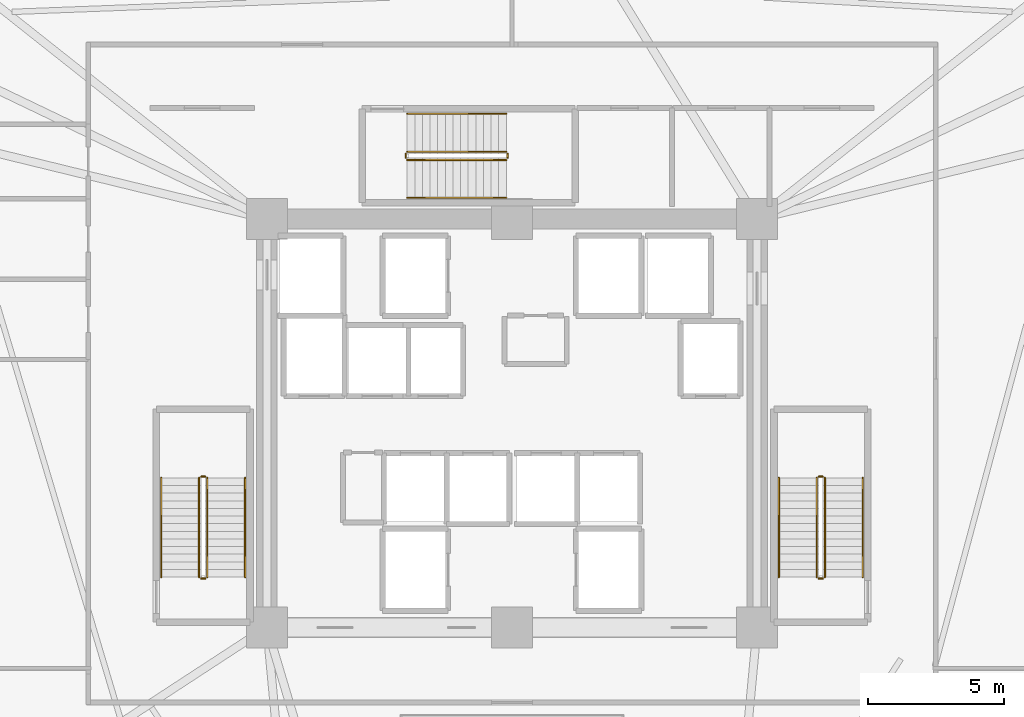
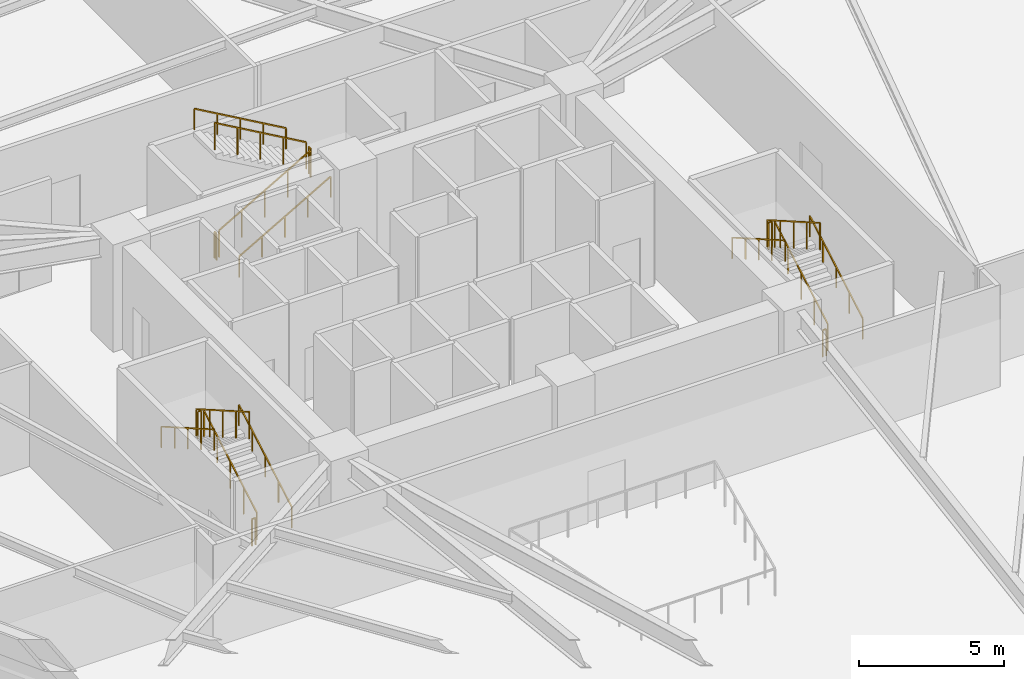
# One storey, part 30 of 30: 18 railings.
"""IFC4 building model written with IfcOpenShell, lengths in metres."""

from ifc_helpers import new_model, si_unit, direction, frame, origin, origin_2d, place, context, subcontext, project, spatial, rectangle, extrude, material, type_object, element, save


model = new_model("IFC4")

# Units and contexts
model_context = context("Model", 3, precision=1e-05, world=origin(), true_north=direction((0.0, 1.0)))
body_context = subcontext(model_context, "Body", "Model", "MODEL_VIEW")
ifc_project = project(units=[si_unit("LENGTHUNIT", "METRE"), si_unit("AREAUNIT", "SQUARE_METRE"), si_unit("VOLUMEUNIT", "CUBIC_METRE"), si_unit("PLANEANGLEUNIT", "RADIAN"), si_unit("MASSUNIT", "GRAM", prefix="KILO")], contexts=[model_context])

# Site, building, storey
site_placement = place(None, origin())
site = spatial("IfcSite", under=ifc_project, at=site_placement, CompositionType="ELEMENT")
building_placement = place(site_placement, origin())
building = spatial("IfcBuilding", under=site, at=building_placement, Name="Liaohun Quay Tower", CompositionType="ELEMENT")
storey_placement = place(building_placement, frame((0.0, 0.0, 97.5)))
storey = spatial("IfcBuildingStorey", under=building, at=storey_placement, Name="L25", CompositionType="ELEMENT", Elevation=97.5)

# Railings
ifc_material_1 = material(Name="Painted tubular steel", Category="steel")
railing_type_1 = type_object("IfcRailingType", Name="RLG-GUARD-STR", PredefinedType="GUARDRAIL", material=ifc_material_1)
railing_1_placement = place(storey_placement, frame((48.81005859375, 48.35009765625, 0.16064453125)))
element("IfcRailing", 1, at=railing_1_placement, inside=storey, type_object=railing_type_1, Name="L25 ST-1 stair guard 1", PredefinedType="GUARDRAIL", context=body_context, shape_type="SweptSolid", body=[
    extrude(rectangle(XDim=0.048095703125, YDim=0.048095703125, at=origin_2d()), frame((0.0, 0.0, 1.1259765625), z_axis=(0.0, 0.8672749571, 0.497829437445), x_axis=(-1.0, 0.0, 0.0)), (0.0, 0.0, 1.0), 4.197021484375),
    extrude(rectangle(XDim=0.0419921875, YDim=0.0419921875, at=origin_2d()), origin(), (0.0, 0.0, 1.0), 1.101806640625),
    extrude(rectangle(XDim=0.0419921875, YDim=0.0419921875, at=origin_2d()), frame((0.0, 0.909912109375, 0.5224609375)), (0.0, 0.0, 1.0), 1.101806640625),
    extrude(rectangle(XDim=0.0419921875, YDim=0.0419921875, at=origin_2d()), frame((0.0, 1.81982421875, 1.044677734375)), (0.0, 0.0, 1.0), 1.101806640625),
    extrude(rectangle(XDim=0.0419921875, YDim=0.0419921875, at=origin_2d()), frame((0.0, 2.72998046875, 1.56689453125)), (0.0, 0.0, 1.0), 1.101806640625),
    extrude(rectangle(XDim=0.0419921875, YDim=0.0419921875, at=origin_2d()), frame((0.0, 3.639892578125, 2.08935546875)), (0.0, 0.0, 1.0), 1.101806640625),
])
railing_2_placement = place(storey_placement, frame((48.72998046875, 52.0400390625, 2.25)))
element("IfcRailing", 2, at=railing_2_placement, inside=storey, type_object=railing_type_1, Name="L25 ST-1 stair guard 2", PredefinedType="GUARDRAIL", context=body_context, shape_type="SweptSolid", body=[
    extrude(rectangle(XDim=0.048095703125, YDim=0.048095703125, at=origin_2d()), frame((0.0, 0.0, 1.1259765625), z_axis=(-1.0, 0.0, 0.0), x_axis=(0.0, -1.0, 0.0)), (0.0, 0.0, 1.0), 0.139892578125),
    extrude(rectangle(XDim=0.0419921875, YDim=0.0419921875, at=origin_2d()), origin(), (0.0, 0.0, 1.0), 1.101806640625),
    extrude(rectangle(XDim=0.0419921875, YDim=0.0419921875, at=origin_2d()), frame((-0.139892578125, 0.0, 0.0)), (0.0, 0.0, 1.0), 1.101806640625),
])
railing_3_placement = place(storey_placement, frame((48.510009765625, 51.989990234375, 2.41064453125)))
element("IfcRailing", 3, at=railing_3_placement, inside=storey, type_object=railing_type_1, Name="L25 ST-1 stair guard 3", PredefinedType="GUARDRAIL", context=body_context, shape_type="SweptSolid", body=[
    extrude(rectangle(XDim=0.048095703125, YDim=0.048095703125, at=origin_2d()), frame((0.0, 0.0, 1.1259765625), z_axis=(0.0, -0.8672749571, 0.497829437445), x_axis=(1.0, 0.0, 0.0)), (0.0, 0.0, 1.0), 4.197021484375),
    extrude(rectangle(XDim=0.0419921875, YDim=0.0419921875, at=origin_2d()), origin(), (0.0, 0.0, 1.0), 1.101806640625),
    extrude(rectangle(XDim=0.0419921875, YDim=0.0419921875, at=origin_2d()), frame((0.0, -0.909912109375, 0.5224609375)), (0.0, 0.0, 1.0), 1.101806640625),
    extrude(rectangle(XDim=0.0419921875, YDim=0.0419921875, at=origin_2d()), frame((0.0, -1.81982421875, 1.044677734375)), (0.0, 0.0, 1.0), 1.101806640625),
    extrude(rectangle(XDim=0.0419921875, YDim=0.0419921875, at=origin_2d()), frame((0.0, -2.72998046875, 1.56689453125)), (0.0, 0.0, 1.0), 1.101806640625),
    extrude(rectangle(XDim=0.0419921875, YDim=0.0419921875, at=origin_2d()), frame((0.0, -3.639892578125, 2.08935546875)), (0.0, 0.0, 1.0), 1.101806640625),
])
railing_4_placement = place(storey_placement, frame((48.72998046875, 48.300048828125, 0.0)))
element("IfcRailing", 4, at=railing_4_placement, inside=storey, type_object=railing_type_1, Name="L25 ST-1 stair guard 4", PredefinedType="GUARDRAIL", context=body_context, shape_type="SweptSolid", body=[
    extrude(rectangle(XDim=0.048095703125, YDim=0.048095703125, at=origin_2d()), frame((0.0, 0.0, 1.1259765625), z_axis=(-1.0, 0.0, 0.0), x_axis=(0.0, -1.0, 0.0)), (0.0, 0.0, 1.0), 0.139892578125),
    extrude(rectangle(XDim=0.0419921875, YDim=0.0419921875, at=origin_2d()), origin(), (0.0, 0.0, 1.0), 1.101806640625),
    extrude(rectangle(XDim=0.0419921875, YDim=0.0419921875, at=origin_2d()), frame((-0.139892578125, 0.0, 0.0)), (0.0, 0.0, 1.0), 1.101806640625),
])
railing_5_placement = place(storey_placement, frame((71.489990234375, 48.35009765625, 0.16064453125)))
element("IfcRailing", 5, at=railing_5_placement, inside=storey, type_object=railing_type_1, Name="L25 ST-2 stair guard 1", PredefinedType="GUARDRAIL", context=body_context, shape_type="SweptSolid", body=[
    extrude(rectangle(XDim=0.048095703125, YDim=0.048095703125, at=origin_2d()), frame((0.0, 0.0, 1.1259765625), z_axis=(0.0, 0.8672749571, 0.497829437445), x_axis=(-1.0, 0.0, 0.0)), (0.0, 0.0, 1.0), 4.197021484375),
    extrude(rectangle(XDim=0.0419921875, YDim=0.0419921875, at=origin_2d()), origin(), (0.0, 0.0, 1.0), 1.101806640625),
    extrude(rectangle(XDim=0.0419921875, YDim=0.0419921875, at=origin_2d()), frame((0.0, 0.909912109375, 0.5224609375)), (0.0, 0.0, 1.0), 1.101806640625),
    extrude(rectangle(XDim=0.0419921875, YDim=0.0419921875, at=origin_2d()), frame((0.0, 1.81982421875, 1.044677734375)), (0.0, 0.0, 1.0), 1.101806640625),
    extrude(rectangle(XDim=0.0419921875, YDim=0.0419921875, at=origin_2d()), frame((0.0, 2.72998046875, 1.56689453125)), (0.0, 0.0, 1.0), 1.101806640625),
    extrude(rectangle(XDim=0.0419921875, YDim=0.0419921875, at=origin_2d()), frame((0.0, 3.639892578125, 2.08935546875)), (0.0, 0.0, 1.0), 1.101806640625),
])
railing_6_placement = place(storey_placement, frame((71.409912109375, 52.0400390625, 2.25)))
element("IfcRailing", 6, at=railing_6_placement, inside=storey, type_object=railing_type_1, Name="L25 ST-2 stair guard 2", PredefinedType="GUARDRAIL", context=body_context, shape_type="SweptSolid", body=[
    extrude(rectangle(XDim=0.048095703125, YDim=0.048095703125, at=origin_2d()), frame((0.0, 0.0, 1.1259765625), z_axis=(-1.0, 0.0, 0.0), x_axis=(0.0, -1.0, 0.0)), (0.0, 0.0, 1.0), 0.139892578125),
    extrude(rectangle(XDim=0.0419921875, YDim=0.0419921875, at=origin_2d()), origin(), (0.0, 0.0, 1.0), 1.101806640625),
    extrude(rectangle(XDim=0.0419921875, YDim=0.0419921875, at=origin_2d()), frame((-0.139892578125, 0.0, 0.0)), (0.0, 0.0, 1.0), 1.101806640625),
])
railing_7_placement = place(storey_placement, frame((71.18994140625, 51.989990234375, 2.41064453125)))
element("IfcRailing", 7, at=railing_7_placement, inside=storey, type_object=railing_type_1, Name="L25 ST-2 stair guard 3", PredefinedType="GUARDRAIL", context=body_context, shape_type="SweptSolid", body=[
    extrude(rectangle(XDim=0.048095703125, YDim=0.048095703125, at=origin_2d()), frame((0.0, 0.0, 1.1259765625), z_axis=(0.0, -0.8672749571, 0.497829437445), x_axis=(1.0, 0.0, 0.0)), (0.0, 0.0, 1.0), 4.197021484375),
    extrude(rectangle(XDim=0.0419921875, YDim=0.0419921875, at=origin_2d()), origin(), (0.0, 0.0, 1.0), 1.101806640625),
    extrude(rectangle(XDim=0.0419921875, YDim=0.0419921875, at=origin_2d()), frame((0.0, -0.909912109375, 0.5224609375)), (0.0, 0.0, 1.0), 1.101806640625),
    extrude(rectangle(XDim=0.0419921875, YDim=0.0419921875, at=origin_2d()), frame((0.0, -1.81982421875, 1.044677734375)), (0.0, 0.0, 1.0), 1.101806640625),
    extrude(rectangle(XDim=0.0419921875, YDim=0.0419921875, at=origin_2d()), frame((0.0, -2.72998046875, 1.56689453125)), (0.0, 0.0, 1.0), 1.101806640625),
    extrude(rectangle(XDim=0.0419921875, YDim=0.0419921875, at=origin_2d()), frame((0.0, -3.639892578125, 2.08935546875)), (0.0, 0.0, 1.0), 1.101806640625),
])
railing_8_placement = place(storey_placement, frame((71.409912109375, 48.300048828125, 0.0)))
element("IfcRailing", 8, at=railing_8_placement, inside=storey, type_object=railing_type_1, Name="L25 ST-2 stair guard 4", PredefinedType="GUARDRAIL", context=body_context, shape_type="SweptSolid", body=[
    extrude(rectangle(XDim=0.048095703125, YDim=0.048095703125, at=origin_2d()), frame((0.0, 0.0, 1.1259765625), z_axis=(-1.0, 0.0, 0.0), x_axis=(0.0, -1.0, 0.0)), (0.0, 0.0, 1.0), 0.139892578125),
    extrude(rectangle(XDim=0.0419921875, YDim=0.0419921875, at=origin_2d()), origin(), (0.0, 0.0, 1.0), 1.101806640625),
    extrude(rectangle(XDim=0.0419921875, YDim=0.0419921875, at=origin_2d()), frame((-0.139892578125, 0.0, 0.0)), (0.0, 0.0, 1.0), 1.101806640625),
])
railing_9_placement = place(storey_placement, frame((56.14990234375, 63.669921875, 0.16064453125)))
element("IfcRailing", 9, at=railing_9_placement, inside=storey, type_object=railing_type_1, Name="L25 ST-3 stair guard 1", PredefinedType="GUARDRAIL", context=body_context, shape_type="SweptSolid", body=[
    extrude(rectangle(XDim=0.048095703125, YDim=0.048095703125, at=origin_2d()), frame((0.0, 0.0, 1.1259765625), z_axis=(0.867289372828, 0.0, 0.497804322781), x_axis=(0.0, 1.0, 0.0)), (0.0, 0.0, 1.0), 4.197021484375),
    extrude(rectangle(XDim=0.0419921875, YDim=0.0419921875, at=origin_2d()), origin(), (0.0, 0.0, 1.0), 1.101806640625),
    extrude(rectangle(XDim=0.0419921875, YDim=0.0419921875, at=origin_2d()), frame((0.91015625, 0.0, 0.5224609375)), (0.0, 0.0, 1.0), 1.101806640625),
    extrude(rectangle(XDim=0.0419921875, YDim=0.0419921875, at=origin_2d()), frame((1.820068359375, 0.0, 1.044677734375)), (0.0, 0.0, 1.0), 1.101806640625),
    extrude(rectangle(XDim=0.0419921875, YDim=0.0419921875, at=origin_2d()), frame((2.72998046875, 0.0, 1.56689453125)), (0.0, 0.0, 1.0), 1.101806640625),
    extrude(rectangle(XDim=0.0419921875, YDim=0.0419921875, at=origin_2d()), frame((3.64013671875, 0.0, 2.08935546875)), (0.0, 0.0, 1.0), 1.101806640625),
])
railing_10_placement = place(storey_placement, frame((59.840087890625, 63.75, 2.25)))
element("IfcRailing", 10, at=railing_10_placement, inside=storey, type_object=railing_type_1, Name="L25 ST-3 stair guard 2", PredefinedType="GUARDRAIL", context=body_context, shape_type="SweptSolid", body=[
    extrude(rectangle(XDim=0.048095703125, YDim=0.048095703125, at=origin_2d()), frame((0.0, 0.0, 1.1259765625), z_axis=(0.0, 1.0, 0.0), x_axis=(-1.0, 0.0, 0.0)), (0.0, 0.0, 1.0), 0.139892578125),
    extrude(rectangle(XDim=0.0419921875, YDim=0.0419921875, at=origin_2d()), origin(), (0.0, 0.0, 1.0), 1.101806640625),
    extrude(rectangle(XDim=0.0419921875, YDim=0.0419921875, at=origin_2d()), frame((0.0, 0.139892578125, 0.0)), (0.0, 0.0, 1.0), 1.101806640625),
])
railing_11_placement = place(storey_placement, frame((59.7900390625, 63.969970703125, 2.41064453125)))
element("IfcRailing", 11, at=railing_11_placement, inside=storey, type_object=railing_type_1, Name="L25 ST-3 stair guard 3", PredefinedType="GUARDRAIL", context=body_context, shape_type="SweptSolid", body=[
    extrude(rectangle(XDim=0.048095703125, YDim=0.048095703125, at=origin_2d()), frame((0.0, 0.0, 1.1259765625), z_axis=(-0.867289372828, 0.0, 0.497804322781), x_axis=(0.0, -1.0, 0.0)), (0.0, 0.0, 1.0), 4.197021484375),
    extrude(rectangle(XDim=0.0419921875, YDim=0.0419921875, at=origin_2d()), origin(), (0.0, 0.0, 1.0), 1.101806640625),
    extrude(rectangle(XDim=0.0419921875, YDim=0.0419921875, at=origin_2d()), frame((-0.91015625, 0.0, 0.5224609375)), (0.0, 0.0, 1.0), 1.101806640625),
    extrude(rectangle(XDim=0.0419921875, YDim=0.0419921875, at=origin_2d()), frame((-1.820068359375, 0.0, 1.044677734375)), (0.0, 0.0, 1.0), 1.101806640625),
    extrude(rectangle(XDim=0.0419921875, YDim=0.0419921875, at=origin_2d()), frame((-2.72998046875, 0.0, 1.56689453125)), (0.0, 0.0, 1.0), 1.101806640625),
    extrude(rectangle(XDim=0.0419921875, YDim=0.0419921875, at=origin_2d()), frame((-3.64013671875, 0.0, 2.08935546875)), (0.0, 0.0, 1.0), 1.101806640625),
])
railing_12_placement = place(storey_placement, frame((56.10009765625, 63.75, 0.0)))
element("IfcRailing", 12, at=railing_12_placement, inside=storey, type_object=railing_type_1, Name="L25 ST-3 stair guard 4", PredefinedType="GUARDRAIL", context=body_context, shape_type="SweptSolid", body=[
    extrude(rectangle(XDim=0.048095703125, YDim=0.048095703125, at=origin_2d()), frame((0.0, 0.0, 1.1259765625), z_axis=(0.0, 1.0, 0.0), x_axis=(-1.0, 0.0, 0.0)), (0.0, 0.0, 1.0), 0.139892578125),
    extrude(rectangle(XDim=0.0419921875, YDim=0.0419921875, at=origin_2d()), origin(), (0.0, 0.0, 1.0), 1.101806640625),
    extrude(rectangle(XDim=0.0419921875, YDim=0.0419921875, at=origin_2d()), frame((0.0, 0.139892578125, 0.0)), (0.0, 0.0, 1.0), 1.101806640625),
])
ifc_material_2 = material(Name="Brushed stainless steel", Category="steel")
railing_type_2 = type_object("IfcRailingType", Name="RLG-HND-STR", PredefinedType="HANDRAIL", material=ifc_material_2)
railing_13_placement = place(storey_placement, frame((50.199951171875, 48.35009765625, 0.16064453125)))
element("IfcRailing", 13, at=railing_13_placement, inside=storey, type_object=railing_type_2, Name="L25 ST-1 stair handrail 1", PredefinedType="HANDRAIL", context=body_context, shape_type="SweptSolid", body=[
    extrude(rectangle(XDim=0.048095703125, YDim=0.048095703125, at=origin_2d()), frame((0.0, 0.0, 0.8759765625), z_axis=(0.0, 0.8672749571, 0.497829437445), x_axis=(-1.0, 0.0, 0.0)), (0.0, 0.0, 1.0), 4.197021484375),
    extrude(rectangle(XDim=0.0419921875, YDim=0.0419921875, at=origin_2d()), origin(), (0.0, 0.0, 1.0), 0.851806640625),
    extrude(rectangle(XDim=0.0419921875, YDim=0.0419921875, at=origin_2d()), frame((0.0, 0.909912109375, 0.5224609375)), (0.0, 0.0, 1.0), 0.851806640625),
    extrude(rectangle(XDim=0.0419921875, YDim=0.0419921875, at=origin_2d()), frame((0.0, 1.81982421875, 1.044677734375)), (0.0, 0.0, 1.0), 0.851806640625),
    extrude(rectangle(XDim=0.0419921875, YDim=0.0419921875, at=origin_2d()), frame((0.0, 2.72998046875, 1.56689453125)), (0.0, 0.0, 1.0), 0.851806640625),
    extrude(rectangle(XDim=0.0419921875, YDim=0.0419921875, at=origin_2d()), frame((0.0, 3.639892578125, 2.08935546875)), (0.0, 0.0, 1.0), 0.851806640625),
])
railing_14_placement = place(storey_placement, frame((47.1201171875, 51.989990234375, 2.41064453125)))
element("IfcRailing", 14, at=railing_14_placement, inside=storey, type_object=railing_type_2, Name="L25 ST-1 stair handrail 2", PredefinedType="HANDRAIL", context=body_context, shape_type="SweptSolid", body=[
    extrude(rectangle(XDim=0.048095703125, YDim=0.048095703125, at=origin_2d()), frame((0.0, 0.0, 0.8759765625), z_axis=(0.0, -0.8672749571, 0.497829437445), x_axis=(1.0, 0.0, 0.0)), (0.0, 0.0, 1.0), 4.197021484375),
    extrude(rectangle(XDim=0.0419921875, YDim=0.0419921875, at=origin_2d()), origin(), (0.0, 0.0, 1.0), 0.851806640625),
    extrude(rectangle(XDim=0.0419921875, YDim=0.0419921875, at=origin_2d()), frame((0.0, -0.909912109375, 0.5224609375)), (0.0, 0.0, 1.0), 0.851806640625),
    extrude(rectangle(XDim=0.0419921875, YDim=0.0419921875, at=origin_2d()), frame((0.0, -1.81982421875, 1.044677734375)), (0.0, 0.0, 1.0), 0.851806640625),
    extrude(rectangle(XDim=0.0419921875, YDim=0.0419921875, at=origin_2d()), frame((0.0, -2.72998046875, 1.56689453125)), (0.0, 0.0, 1.0), 0.851806640625),
    extrude(rectangle(XDim=0.0419921875, YDim=0.0419921875, at=origin_2d()), frame((0.0, -3.639892578125, 2.08935546875)), (0.0, 0.0, 1.0), 0.851806640625),
])
railing_15_placement = place(storey_placement, frame((72.8798828125, 48.35009765625, 0.16064453125)))
element("IfcRailing", 15, at=railing_15_placement, inside=storey, type_object=railing_type_2, Name="L25 ST-2 stair handrail 1", PredefinedType="HANDRAIL", context=body_context, shape_type="SweptSolid", body=[
    extrude(rectangle(XDim=0.048095703125, YDim=0.048095703125, at=origin_2d()), frame((0.0, 0.0, 0.8759765625), z_axis=(0.0, 0.8672749571, 0.497829437445), x_axis=(-1.0, 0.0, 0.0)), (0.0, 0.0, 1.0), 4.197021484375),
    extrude(rectangle(XDim=0.0419921875, YDim=0.0419921875, at=origin_2d()), origin(), (0.0, 0.0, 1.0), 0.851806640625),
    extrude(rectangle(XDim=0.0419921875, YDim=0.0419921875, at=origin_2d()), frame((0.0, 0.909912109375, 0.5224609375)), (0.0, 0.0, 1.0), 0.851806640625),
    extrude(rectangle(XDim=0.0419921875, YDim=0.0419921875, at=origin_2d()), frame((0.0, 1.81982421875, 1.044677734375)), (0.0, 0.0, 1.0), 0.851806640625),
    extrude(rectangle(XDim=0.0419921875, YDim=0.0419921875, at=origin_2d()), frame((0.0, 2.72998046875, 1.56689453125)), (0.0, 0.0, 1.0), 0.851806640625),
    extrude(rectangle(XDim=0.0419921875, YDim=0.0419921875, at=origin_2d()), frame((0.0, 3.639892578125, 2.08935546875)), (0.0, 0.0, 1.0), 0.851806640625),
])
railing_16_placement = place(storey_placement, frame((69.800048828125, 51.989990234375, 2.41064453125)))
element("IfcRailing", 16, at=railing_16_placement, inside=storey, type_object=railing_type_2, Name="L25 ST-2 stair handrail 2", PredefinedType="HANDRAIL", context=body_context, shape_type="SweptSolid", body=[
    extrude(rectangle(XDim=0.048095703125, YDim=0.048095703125, at=origin_2d()), frame((0.0, 0.0, 0.8759765625), z_axis=(0.0, -0.8672749571, 0.497829437445), x_axis=(1.0, 0.0, 0.0)), (0.0, 0.0, 1.0), 4.197021484375),
    extrude(rectangle(XDim=0.0419921875, YDim=0.0419921875, at=origin_2d()), origin(), (0.0, 0.0, 1.0), 0.851806640625),
    extrude(rectangle(XDim=0.0419921875, YDim=0.0419921875, at=origin_2d()), frame((0.0, -0.909912109375, 0.5224609375)), (0.0, 0.0, 1.0), 0.851806640625),
    extrude(rectangle(XDim=0.0419921875, YDim=0.0419921875, at=origin_2d()), frame((0.0, -1.81982421875, 1.044677734375)), (0.0, 0.0, 1.0), 0.851806640625),
    extrude(rectangle(XDim=0.0419921875, YDim=0.0419921875, at=origin_2d()), frame((0.0, -2.72998046875, 1.56689453125)), (0.0, 0.0, 1.0), 0.851806640625),
    extrude(rectangle(XDim=0.0419921875, YDim=0.0419921875, at=origin_2d()), frame((0.0, -3.639892578125, 2.08935546875)), (0.0, 0.0, 1.0), 0.851806640625),
])
railing_17_placement = place(storey_placement, frame((56.14990234375, 62.280029296875, 0.16064453125)))
element("IfcRailing", 17, at=railing_17_placement, inside=storey, type_object=railing_type_2, Name="L25 ST-3 stair handrail 1", PredefinedType="HANDRAIL", context=body_context, shape_type="SweptSolid", body=[
    extrude(rectangle(XDim=0.048095703125, YDim=0.048095703125, at=origin_2d()), frame((0.0, 0.0, 0.8759765625), z_axis=(0.867289372828, 0.0, 0.497804322781), x_axis=(0.0, 1.0, 0.0)), (0.0, 0.0, 1.0), 4.197021484375),
    extrude(rectangle(XDim=0.0419921875, YDim=0.0419921875, at=origin_2d()), origin(), (0.0, 0.0, 1.0), 0.851806640625),
    extrude(rectangle(XDim=0.0419921875, YDim=0.0419921875, at=origin_2d()), frame((0.91015625, 0.0, 0.5224609375)), (0.0, 0.0, 1.0), 0.851806640625),
    extrude(rectangle(XDim=0.0419921875, YDim=0.0419921875, at=origin_2d()), frame((1.820068359375, 0.0, 1.044677734375)), (0.0, 0.0, 1.0), 0.851806640625),
    extrude(rectangle(XDim=0.0419921875, YDim=0.0419921875, at=origin_2d()), frame((2.72998046875, 0.0, 1.56689453125)), (0.0, 0.0, 1.0), 0.851806640625),
    extrude(rectangle(XDim=0.0419921875, YDim=0.0419921875, at=origin_2d()), frame((3.64013671875, 0.0, 2.08935546875)), (0.0, 0.0, 1.0), 0.851806640625),
])
railing_18_placement = place(storey_placement, frame((59.7900390625, 65.360107421875, 2.41064453125)))
element("IfcRailing", 18, at=railing_18_placement, inside=storey, type_object=railing_type_2, Name="L25 ST-3 stair handrail 2", PredefinedType="HANDRAIL", context=body_context, shape_type="SweptSolid", body=[
    extrude(rectangle(XDim=0.048095703125, YDim=0.048095703125, at=origin_2d()), frame((0.0, 0.0, 0.8759765625), z_axis=(-0.867289372828, 0.0, 0.497804322781), x_axis=(0.0, -1.0, 0.0)), (0.0, 0.0, 1.0), 4.197021484375),
    extrude(rectangle(XDim=0.0419921875, YDim=0.0419921875, at=origin_2d()), origin(), (0.0, 0.0, 1.0), 0.851806640625),
    extrude(rectangle(XDim=0.0419921875, YDim=0.0419921875, at=origin_2d()), frame((-0.91015625, 0.0, 0.5224609375)), (0.0, 0.0, 1.0), 0.851806640625),
    extrude(rectangle(XDim=0.0419921875, YDim=0.0419921875, at=origin_2d()), frame((-1.820068359375, 0.0, 1.044677734375)), (0.0, 0.0, 1.0), 0.851806640625),
    extrude(rectangle(XDim=0.0419921875, YDim=0.0419921875, at=origin_2d()), frame((-2.72998046875, 0.0, 1.56689453125)), (0.0, 0.0, 1.0), 0.851806640625),
    extrude(rectangle(XDim=0.0419921875, YDim=0.0419921875, at=origin_2d()), frame((-3.64013671875, 0.0, 2.08935546875)), (0.0, 0.0, 1.0), 0.851806640625),
])

save(model, "model.ifc")
